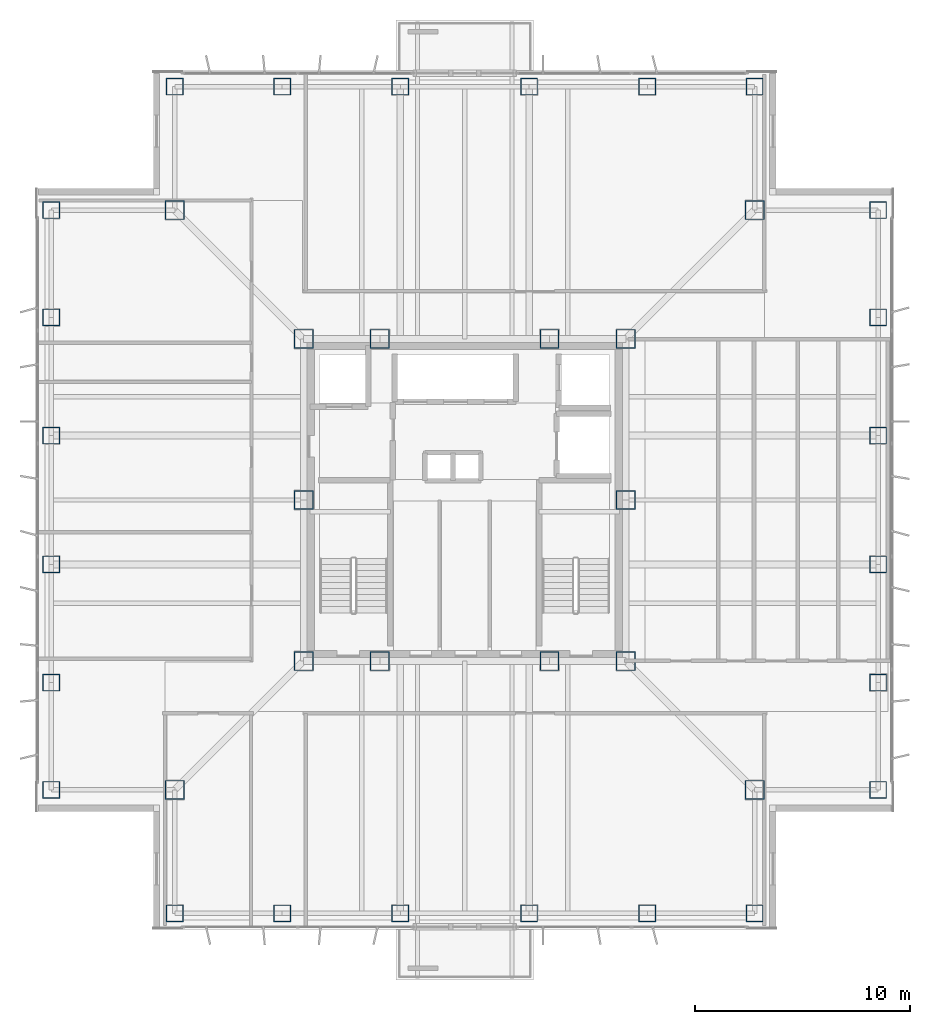
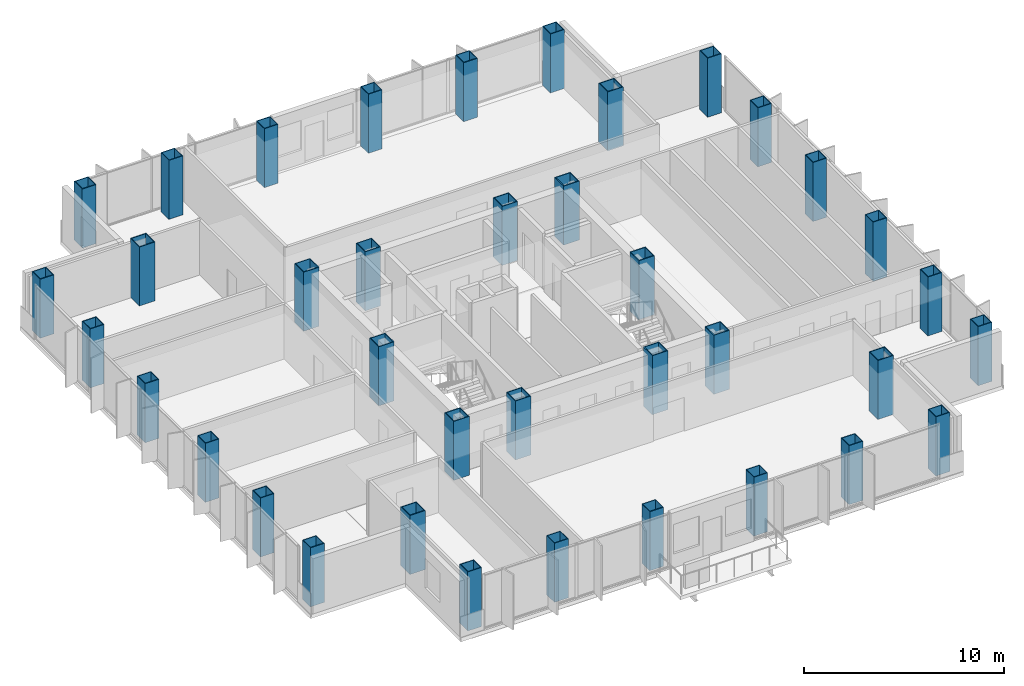
# One storey, part 1 of 13: 38 columns.
"""IFC4 building model written with IfcOpenShell, lengths in metres."""

from ifc_helpers import new_model, si_unit, direction, frame, origin, origin_2d, place, context, subcontext, project, spatial, hollow_rectangle, extrude, material, material_profile, profile_set, type_object, element, save


model = new_model("IFC4")

# Units and contexts
model_context = context("Model", 3, precision=1e-05, world=origin(), true_north=direction((0.0, 1.0)))
body_context = subcontext(model_context, "Body", "Model", "MODEL_VIEW")
ifc_project = project(units=[si_unit("LENGTHUNIT", "METRE"), si_unit("AREAUNIT", "SQUARE_METRE"), si_unit("VOLUMEUNIT", "CUBIC_METRE"), si_unit("PLANEANGLEUNIT", "RADIAN"), si_unit("MASSUNIT", "GRAM", prefix="KILO")], contexts=[model_context])

# Site, building, storey
site_placement = place(None, origin())
site = spatial("IfcSite", under=ifc_project, at=site_placement, CompositionType="ELEMENT")
building_placement = place(site_placement, origin())
building = spatial("IfcBuilding", under=site, at=building_placement, Name="Trevonay Congress Spire", CompositionType="ELEMENT")
storey_placement = place(building_placement, frame((0.0, 0.0, 205.800048828125)))
storey = spatial("IfcBuildingStorey", under=building, at=storey_placement, Name="L53", CompositionType="ELEMENT", Elevation=205.800048828125)

# Columns
ifc_material = material(Name="Steel ASTM A572 Grade 50", Category="steel")
ifc_material_profile_1 = material_profile(ifc_material, hollow_rectangle(XDim=0.89990234375, YDim=0.89990234375, WallThickness=0.044921875, at=origin_2d()), Name="BOX 900x900x45")
ifc_profile_set_1 = profile_set([ifc_material_profile_1], Name="Steel ASTM A572 Grade 50")
column_type_1 = type_object("IfcColumnType", Name="COL-CORE-BOX900", PredefinedType="COLUMN", material=ifc_profile_set_1)
for number, where, z_axis, x_axis, name in (
    (1, (-7.5, -7.5, 0.0), (0.0, 0.0, 1.0), (1.0, 0.0, 0.0), "L53 column C04 at CC-SW"),
    (2, (-3.949951171875, -7.5, 0.0), (0.0, 0.0, 1.0), (1.0, 0.0, 0.0), "L53 column C04 at CC-SMW"),
    (3, (3.949951171875, -7.5, 0.0), (0.0, 0.0, 1.0), (1.0, 0.0, 0.0), "L53 column C04 at CC-SME"),
    (4, (7.5, -7.5, 0.0), (0.0, 0.0, 1.0), (1.0, 0.0, 0.0), "L53 column C04 at CC-SE"),
    (5, (7.5, 0.0, 0.0), (0.0, 0.0, 1.0), (1.0, 0.0, 0.0), "L53 column C04 at CC-E"),
    (6, (7.5, 7.5, 0.0), (0.0, 0.0, 1.0), (1.0, 0.0, 0.0), "L53 column C04 at CC-NE"),
    (7, (3.949951171875, 7.5, 0.0), (0.0, 0.0, 1.0), (1.0, 0.0, 0.0), "L53 column C04 at CC-NME"),
    (8, (-3.949951171875, 7.5, 0.0), (0.0, 0.0, 1.0), (1.0, 0.0, 0.0), "L53 column C04 at CC-NMW"),
    (9, (-7.5, 7.5, 0.0), (0.0, 0.0, 1.0), (1.0, 0.0, 0.0), "L53 column C04 at CC-NW"),
    (10, (-7.5, 0.0, 0.0), (0.0, 0.0, 1.0), (1.0, 0.0, 0.0), "L53 column C04 at CC-W"),
):
    element("IfcColumn", number, at=place(storey_placement, frame(where, z_axis=z_axis, x_axis=x_axis)), inside=storey, type_object=column_type_1, Name=name, PredefinedType="COLUMN", context=body_context, shape_type="SweptSolid", body=[
        extrude(hollow_rectangle(XDim=0.89990234375, YDim=0.89990234375, WallThickness=0.044921875, at=origin_2d()), origin(), (0.0, 0.0, 1.0), 3.599853515625),
    ])
ifc_material_profile_2 = material_profile(ifc_material, hollow_rectangle(XDim=0.800048828125, YDim=0.800048828125, WallThickness=0.0400390625, at=origin_2d()), Name="BOX 800x800x40")
ifc_profile_set_2 = profile_set([ifc_material_profile_2], Name="Steel ASTM A572 Grade 50")
column_type_2 = type_object("IfcColumnType", Name="COL-TUBE-BOX800", PredefinedType="COLUMN", material=ifc_profile_set_2)
for number, where, z_axis, x_axis, name in (
    (11, (-13.5, -19.25, 0.0), (0.0, 0.0, 1.0), (1.0, 0.0, 0.0), "L53 column C16 at TS-1"),
    (12, (-13.5, 19.25, 0.0), (0.0, 0.0, 1.0), (1.0, 0.0, 0.0), "L53 column C16 at TN-1"),
    (13, (-19.25, -13.5, 0.0), (0.0, 0.0, 1.0), (1.0, 0.0, 0.0), "L53 column C16 at TW-1"),
    (14, (19.25, -13.5, 0.0), (0.0, 0.0, 1.0), (1.0, 0.0, 0.0), "L53 column C16 at TE-1"),
    (15, (-8.5, -19.25, 0.0), (0.0, 0.0, 1.0), (1.0, 0.0, 0.0), "L53 column C16 at TS-2"),
    (16, (-8.5, 19.25, 0.0), (0.0, 0.0, 1.0), (1.0, 0.0, 0.0), "L53 column C16 at TN-2"),
    (17, (-19.25, -8.5, 0.0), (0.0, 0.0, 1.0), (1.0, 0.0, 0.0), "L53 column C16 at TW-2"),
    (18, (19.25, -8.5, 0.0), (0.0, 0.0, 1.0), (1.0, 0.0, 0.0), "L53 column C16 at TE-2"),
    (19, (-3.0, -19.25, 0.0), (0.0, 0.0, 1.0), (1.0, 0.0, 0.0), "L53 column C16 at TS-3"),
    (20, (-3.0, 19.25, 0.0), (0.0, 0.0, 1.0), (1.0, 0.0, 0.0), "L53 column C16 at TN-3"),
    (21, (-19.25, -3.0, 0.0), (0.0, 0.0, 1.0), (1.0, 0.0, 0.0), "L53 column C16 at TW-3"),
    (22, (19.25, -3.0, 0.0), (0.0, 0.0, 1.0), (1.0, 0.0, 0.0), "L53 column C16 at TE-3"),
    (23, (3.0, -19.25, 0.0), (0.0, 0.0, 1.0), (1.0, 0.0, 0.0), "L53 column C16 at TS-4"),
    (24, (3.0, 19.25, 0.0), (0.0, 0.0, 1.0), (1.0, 0.0, 0.0), "L53 column C16 at TN-4"),
    (25, (-19.25, 3.0, 0.0), (0.0, 0.0, 1.0), (1.0, 0.0, 0.0), "L53 column C16 at TW-4"),
    (26, (19.25, 3.0, 0.0), (0.0, 0.0, 1.0), (1.0, 0.0, 0.0), "L53 column C16 at TE-4"),
    (27, (8.5, -19.25, 0.0), (0.0, 0.0, 1.0), (1.0, 0.0, 0.0), "L53 column C16 at TS-5"),
    (28, (8.5, 19.25, 0.0), (0.0, 0.0, 1.0), (1.0, 0.0, 0.0), "L53 column C16 at TN-5"),
    (29, (-19.25, 8.5, 0.0), (0.0, 0.0, 1.0), (1.0, 0.0, 0.0), "L53 column C16 at TW-5"),
    (30, (19.25, 8.5, 0.0), (0.0, 0.0, 1.0), (1.0, 0.0, 0.0), "L53 column C16 at TE-5"),
    (31, (13.5, -19.25, 0.0), (0.0, 0.0, 1.0), (1.0, 0.0, 0.0), "L53 column C16 at TS-6"),
    (32, (13.5, 19.25, 0.0), (0.0, 0.0, 1.0), (1.0, 0.0, 0.0), "L53 column C16 at TN-6"),
    (33, (-19.25, 13.5, 0.0), (0.0, 0.0, 1.0), (1.0, 0.0, 0.0), "L53 column C16 at TW-6"),
    (34, (19.25, 13.5, 0.0), (0.0, 0.0, 1.0), (1.0, 0.0, 0.0), "L53 column C16 at TE-6"),
):
    element("IfcColumn", number, at=place(storey_placement, frame(where, z_axis=z_axis, x_axis=x_axis)), inside=storey, type_object=column_type_2, Name=name, PredefinedType="COLUMN", context=body_context, shape_type="SweptSolid", body=[
        extrude(hollow_rectangle(XDim=0.800048828125, YDim=0.800048828125, WallThickness=0.0400390625, at=origin_2d()), origin(), (0.0, 0.0, 1.0), 3.599853515625),
    ])
ifc_material_profile_3 = material_profile(ifc_material, hollow_rectangle(XDim=0.89990234375, YDim=0.89990234375, WallThickness=0.044921875, at=origin_2d()), Name="BOX 900x900x45")
ifc_profile_set_3 = profile_set([ifc_material_profile_3], Name="Steel ASTM A572 Grade 50")
column_type_3 = type_object("IfcColumnType", Name="COL-TUBE-BOX900", PredefinedType="COLUMN", material=ifc_profile_set_3)
for number, where, z_axis, x_axis, name in (
    (35, (-13.5, -13.5, 0.0), (0.0, 0.0, 1.0), (1.0, 0.0, 0.0), "L53 column C15 at NC-SW"),
    (36, (13.5, -13.5, 0.0), (0.0, 0.0, 1.0), (1.0, 0.0, 0.0), "L53 column C15 at NC-SE"),
    (37, (13.5, 13.5, 0.0), (0.0, 0.0, 1.0), (1.0, 0.0, 0.0), "L53 column C15 at NC-NE"),
    (38, (-13.5, 13.5, 0.0), (0.0, 0.0, 1.0), (1.0, 0.0, 0.0), "L53 column C15 at NC-NW"),
):
    element("IfcColumn", number, at=place(storey_placement, frame(where, z_axis=z_axis, x_axis=x_axis)), inside=storey, type_object=column_type_3, Name=name, PredefinedType="COLUMN", context=body_context, shape_type="SweptSolid", body=[
        extrude(hollow_rectangle(XDim=0.89990234375, YDim=0.89990234375, WallThickness=0.044921875, at=origin_2d()), origin(), (0.0, 0.0, 1.0), 3.599853515625),
    ])

save(model, "model.ifc")
